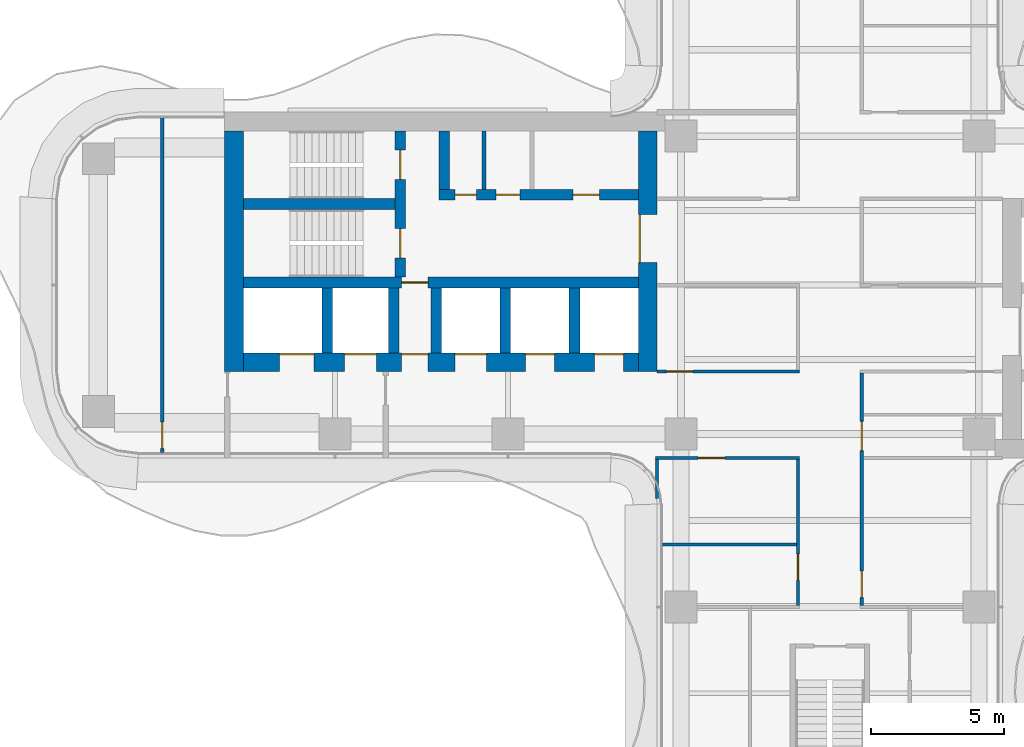
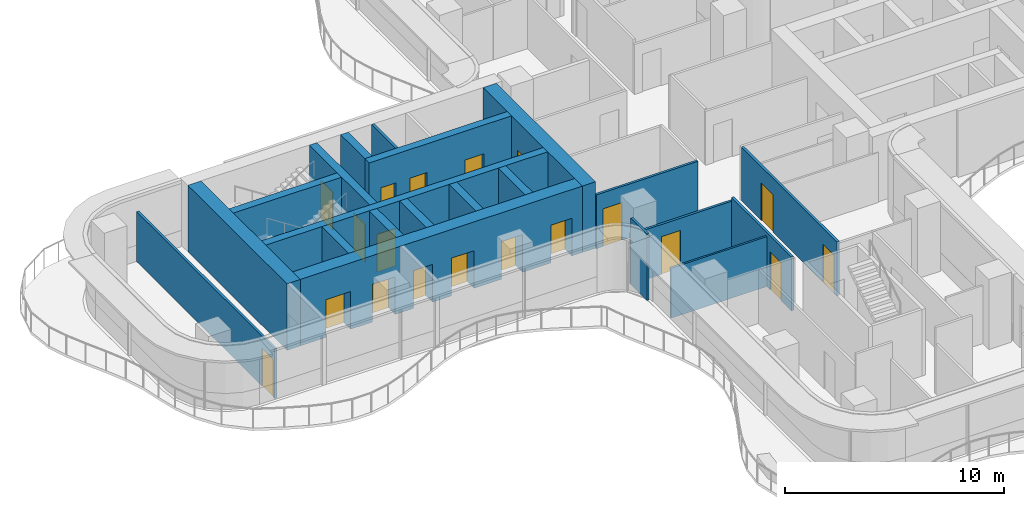
# One storey, part 13 of 18: 21 walls, 19 doors, 19 openings.
"""IFC4 building model written with IfcOpenShell, lengths in metres."""

from ifc_helpers import new_model, si_unit, direction, frame, frame_2d, origin, place, context, subcontext, project, spatial, rectangle, extrude, source, transform, mapped, material, layer, layer_set, type_object, element, fill, save


model = new_model("IFC4")

# Units and contexts
model_context = context("Model", 3, precision=1e-05, world=origin(), true_north=direction((0.0, 1.0)))
body_context = subcontext(model_context, "Body", "Model", "MODEL_VIEW")
ifc_project = project(units=[si_unit("LENGTHUNIT", "METRE"), si_unit("AREAUNIT", "SQUARE_METRE"), si_unit("VOLUMEUNIT", "CUBIC_METRE"), si_unit("PLANEANGLEUNIT", "RADIAN"), si_unit("MASSUNIT", "GRAM", prefix="KILO")], contexts=[model_context])

# Site, building, storey
site_placement = place(None, origin())
site = spatial("IfcSite", under=ifc_project, at=site_placement, CompositionType="ELEMENT")
building_placement = place(site_placement, origin())
building = spatial("IfcBuilding", under=site, at=building_placement, Name="Trellis Farm Tower", CompositionType="ELEMENT")
storey_placement = place(building_placement, frame((0.0, 0.0, 177.60009765625)))
storey = spatial("IfcBuildingStorey", under=building, at=storey_placement, Name="L38", CompositionType="ELEMENT", Elevation=177.60009765625)

# Wall, opening, door
ifc_material_1 = material(Name="Concrete C70/85", Category="concrete")
ifc_layer_1 = layer(ifc_material_1, 0.699951171875)
ifc_layer_set_1 = layer_set([ifc_layer_1], Name="CORE OUTER WALL 700 CONCRETE C70/85")
wall_type_1 = type_object("IfcWallType", Name="CORE OUTER WALL 700 CONCRETE C70/85", PredefinedType="SHEAR", material=ifc_layer_set_1)
shared_shape_1 = source(origin(), body_context, "Body", "SweptSolid", [
    extrude(rectangle(XDim=9.050048828125, YDim=0.699951171875, at=frame_2d((4.52490234375, 0.0))), origin(), (0.0, 0.0, 1.0), 3.699951171875),
])
wall_1_placement = place(storey_placement, frame((-6.85009765625, 5.800048828125, 0.0), z_axis=(0.0, 0.0, 1.0), x_axis=(0.0, -1.0, 0.0)))
wall_1 = element("IfcWall", 1, at=wall_1_placement, inside=storey, type_object=wall_type_1, Name="Core wall", PredefinedType="SHEAR", context=body_context, shape_type="MappedRepresentation", body=[
    mapped(shared_shape_1, transform((0.0, 0.0, 0.0))),
])
shared_shape_2 = source(origin(), body_context, "Body", "SweptSolid", [
    extrude(rectangle(XDim=1.800048828125, YDim=2.10009765625, at=frame_2d((0.89990234375, 1.050048828125))), frame((0.0, 0.360107421875, 0.0), z_axis=(0.0, -1.0, 0.0), x_axis=(1.0, 0.0, 0.0)), (0.0, 0.0, 1.0), 0.72021484375),
])
opening_1_placement = place(wall_1_placement, frame((3.14990234375, 0.0, 0.0)))
opening_1 = element("IfcOpeningElement", 2, at=opening_1_placement, cuts=wall_1, Name="Opening DC87", PredefinedType="OPENING", context=body_context, shape_type="MappedRepresentation", body=[
    mapped(shared_shape_2, transform((0.0, 0.0, 0.0))),
])
ifc_material_2 = material(Name="Steel", Category="steel")
door_type_1 = type_object("IfcDoorType", Name="CORE FIRE DOOR DOUBLE 1800 X 2100", OperationType="DOUBLE_DOOR_SINGLE_SWING", PredefinedType="DOOR", material=ifc_material_2)
shared_shape_3 = source(origin(), body_context, "Body", "SweptSolid", [
    extrude(rectangle(XDim=1.800048828125, YDim=2.10009765625, at=frame_2d((0.89990234375, 1.050048828125))), frame((0.0, -0.27490234375, 0.0), z_axis=(0.0, -1.0, 0.0), x_axis=(1.0, 0.0, 0.0)), (0.0, 0.0, 1.0), 0.050048828125),
])
door_1_placement = place(opening_1_placement, origin())
door_1 = element("IfcDoor", 3, at=door_1_placement, inside=storey, type_object=door_type_1, Name="Core door", OperationType="DOUBLE_DOOR_SINGLE_SWING", OverallHeight=2.10009765625, OverallWidth=1.800048828125, PredefinedType="DOOR", context=body_context, shape_type="MappedRepresentation", body=[
    mapped(shared_shape_3, transform((0.0, 0.0, 0.0))),
])
fill(opening_1, door_1)

# Walls
wall_2_placement = place(storey_placement, frame((-22.39990234375, 5.800048828125, 0.0), z_axis=(0.0, 0.0, 1.0), x_axis=(0.0, -1.0, 0.0)))
element("IfcWall", 4, at=wall_2_placement, inside=storey, type_object=wall_type_1, Name="Core wall", PredefinedType="SHEAR", context=body_context, shape_type="MappedRepresentation", body=[
    mapped(shared_shape_1, transform((0.0, 0.0, 0.0))),
])
ifc_layer_2 = layer(ifc_material_1, 0.39990234375)
ifc_layer_set_2 = layer_set([ifc_layer_2], Name="CORE INNER WALL 400 CONCRETE C70/85")
wall_type_2 = type_object("IfcWallType", Name="CORE INNER WALL 400 CONCRETE C70/85", PredefinedType="SHEAR", material=ifc_layer_set_2)
shared_shape_4 = source(origin(), body_context, "Body", "SweptSolid", [
    extrude(rectangle(XDim=2.449951171875, YDim=0.39990234375, at=frame_2d((1.22509765625, 0.0))), origin(), (0.0, 0.0, 1.0), 3.699951171875),
])
for number, where, z_axis, x_axis, name in (
    (5, (-9.60009765625, -0.10009765625, 0.0), (0.0, 0.0, 1.0), (0.0, -1.0, 0.0), "Core wall"),
    (6, (-12.199951171875, -0.10009765625, 0.0), (0.0, 0.0, 1.0), (0.0, -1.0, 0.0), "Core wall"),
    (7, (-14.800048828125, -0.10009765625, 0.0), (0.0, 0.0, 1.0), (0.0, -1.0, 0.0), "Core wall"),
    (8, (-16.39990234375, -0.10009765625, 0.0), (0.0, 0.0, 1.0), (0.0, -1.0, 0.0), "Core wall"),
    (9, (-18.89990234375, -0.10009765625, 0.0), (0.0, 0.0, 1.0), (0.0, -1.0, 0.0), "Core wall"),
):
    element("IfcWall", number, at=place(storey_placement, frame(where, z_axis=z_axis, x_axis=x_axis)), inside=storey, type_object=wall_type_2, Name=name, PredefinedType="SHEAR", context=body_context, shape_type="MappedRepresentation", body=[
        mapped(shared_shape_4, transform((0.0, 0.0, 0.0))),
    ])

# Wall, openings, doors
shared_shape_5 = source(origin(), body_context, "Body", "SweptSolid", [
    extrude(rectangle(XDim=14.85009765625, YDim=0.699951171875, at=frame_2d((7.425048828125, 0.0))), origin(), (0.0, 0.0, 1.0), 3.699951171875),
])
wall_3_placement = place(storey_placement, frame((-7.199951171875, -2.89990234375, 0.0), z_axis=(0.0, 0.0, 1.0), x_axis=(-1.0, 0.0, 0.0)))
wall_3 = element("IfcWall", 10, at=wall_3_placement, inside=storey, type_object=wall_type_1, Name="Core wall", PredefinedType="SHEAR", context=body_context, shape_type="MappedRepresentation", body=[
    mapped(shared_shape_5, transform((0.0, 0.0, 0.0))),
])
shared_shape_6 = source(origin(), body_context, "Body", "SweptSolid", [
    extrude(rectangle(XDim=1.10009765625, YDim=2.10009765625, at=frame_2d((0.550048828125, 1.050048828125))), frame((0.0, 0.360107421875, 0.0), z_axis=(0.0, -1.0, 0.0), x_axis=(1.0, 0.0, 0.0)), (0.0, 0.0, 1.0), 0.72021484375),
])
opening_2_placement = place(wall_3_placement, frame((0.550048828125, 0.0, 0.0)))
opening_2 = element("IfcOpeningElement", 11, at=opening_2_placement, cuts=wall_3, Name="Opening LD12", PredefinedType="OPENING", context=body_context, shape_type="MappedRepresentation", body=[
    mapped(shared_shape_6, transform((0.0, 0.0, 0.0))),
])
opening_3_placement = place(wall_3_placement, frame((3.14990234375, 0.0, 0.0)))
opening_3 = element("IfcOpeningElement", 12, at=opening_3_placement, cuts=wall_3, Name="Opening LD13", PredefinedType="OPENING", context=body_context, shape_type="MappedRepresentation", body=[
    mapped(shared_shape_6, transform((0.0, 0.0, 0.0))),
])
shared_shape_7 = source(origin(), body_context, "Body", "SweptSolid", [
    extrude(rectangle(XDim=1.199951171875, YDim=2.10009765625, at=frame_2d((0.60009765625, 1.050048828125))), frame((0.0, 0.360107421875, 0.0), z_axis=(0.0, -1.0, 0.0), x_axis=(1.0, 0.0, 0.0)), (0.0, 0.0, 1.0), 0.72021484375),
])
opening_4_placement = place(wall_3_placement, frame((5.699951171875, 0.0, 0.0)))
opening_4 = element("IfcOpeningElement", 13, at=opening_4_placement, cuts=wall_3, Name="Opening LD14", PredefinedType="OPENING", context=body_context, shape_type="MappedRepresentation", body=[
    mapped(shared_shape_7, transform((0.0, 0.0, 0.0))),
])
shared_shape_8 = source(origin(), body_context, "Body", "SweptSolid", [
    extrude(rectangle(XDim=1.300048828125, YDim=2.10009765625, at=frame_2d((0.64990234375, 1.050048828125))), frame((0.0, 0.360107421875, 0.0), z_axis=(0.0, -1.0, 0.0), x_axis=(1.0, 0.0, 0.0)), (0.0, 0.0, 1.0), 0.72021484375),
])
opening_5_placement = place(wall_3_placement, frame((12.199951171875, 0.0, 0.0)))
opening_5 = element("IfcOpeningElement", 14, at=opening_5_placement, cuts=wall_3, Name="Opening LD15", PredefinedType="OPENING", context=body_context, shape_type="MappedRepresentation", body=[
    mapped(shared_shape_8, transform((0.0, 0.0, 0.0))),
])
opening_6_placement = place(wall_3_placement, frame((9.85009765625, 0.0, 0.0)))
opening_6 = element("IfcOpeningElement", 15, at=opening_6_placement, cuts=wall_3, Name="Opening LD16", PredefinedType="OPENING", context=body_context, shape_type="MappedRepresentation", body=[
    mapped(shared_shape_7, transform((0.0, 0.0, 0.0))),
])
shared_shape_9 = source(origin(), body_context, "Body", "SweptSolid", [
    extrude(rectangle(XDim=1.0, YDim=2.10009765625, at=frame_2d((0.5, 1.050048828125))), frame((0.0, 0.360107421875, 0.0), z_axis=(0.0, -1.0, 0.0), x_axis=(1.0, 0.0, 0.0)), (0.0, 0.0, 1.0), 0.72021484375),
])
opening_7_placement = place(wall_3_placement, frame((7.89990234375, 0.0, 0.0)))
opening_7 = element("IfcOpeningElement", 16, at=opening_7_placement, cuts=wall_3, Name="Opening DC92", PredefinedType="OPENING", context=body_context, shape_type="MappedRepresentation", body=[
    mapped(shared_shape_9, transform((0.0, 0.0, 0.0))),
])
door_type_2 = type_object("IfcDoorType", Name="CORE FIRE DOOR 1000 X 2100", OperationType="NOTDEFINED", PredefinedType="DOOR", material=ifc_material_2)
shared_shape_10 = source(origin(), body_context, "Body", "SweptSolid", [
    extrude(rectangle(XDim=1.0, YDim=2.10009765625, at=frame_2d((0.5, 1.050048828125))), frame((0.0, -0.27490234375, 0.0), z_axis=(0.0, -1.0, 0.0), x_axis=(1.0, 0.0, 0.0)), (0.0, 0.0, 1.0), 0.050048828125),
])
door_2_placement = place(opening_7_placement, origin())
door_2 = element("IfcDoor", 17, at=door_2_placement, inside=storey, type_object=door_type_2, Name="Core door", OperationType="SINGLE_SWING_LEFT", OverallHeight=2.10009765625, OverallWidth=1.0, PredefinedType="DOOR", context=body_context, shape_type="MappedRepresentation", body=[
    mapped(shared_shape_10, transform((0.0, 0.0, 0.0))),
])
fill(opening_7, door_2)
ifc_material_3 = material(Name="Stainless steel", Category="steel")
door_type_3 = type_object("IfcDoorType", Name="LIFT LANDING DOOR 1300 X 2100", OperationType="DOUBLE_DOOR_SLIDING", PredefinedType="DOOR", material=ifc_material_3)
shared_shape_11 = source(origin(), body_context, "Body", "SweptSolid", [
    extrude(rectangle(XDim=1.300048828125, YDim=2.10009765625, at=frame_2d((0.64990234375, 1.050048828125))), frame((0.0, -0.27490234375, 0.0), z_axis=(0.0, -1.0, 0.0), x_axis=(1.0, 0.0, 0.0)), (0.0, 0.0, 1.0), 0.050048828125),
])
door_3_placement = place(opening_5_placement, origin())
door_3 = element("IfcDoor", 18, at=door_3_placement, inside=storey, type_object=door_type_3, Name="Lift landing door", OperationType="DOUBLE_DOOR_SLIDING", OverallHeight=2.10009765625, OverallWidth=1.300048828125, PredefinedType="DOOR", context=body_context, shape_type="MappedRepresentation", body=[
    mapped(shared_shape_11, transform((0.0, 0.0, 0.0))),
])
fill(opening_5, door_3)
door_type_4 = type_object("IfcDoorType", Name="LIFT LANDING DOOR 1200 X 2100", OperationType="DOUBLE_DOOR_SLIDING", PredefinedType="DOOR", material=ifc_material_3)
shared_shape_12 = source(origin(), body_context, "Body", "SweptSolid", [
    extrude(rectangle(XDim=1.199951171875, YDim=2.10009765625, at=frame_2d((0.60009765625, 1.050048828125))), frame((0.0, -0.27490234375, 0.0), z_axis=(0.0, -1.0, 0.0), x_axis=(1.0, 0.0, 0.0)), (0.0, 0.0, 1.0), 0.050048828125),
])
door_4_placement = place(opening_4_placement, origin())
door_4 = element("IfcDoor", 19, at=door_4_placement, inside=storey, type_object=door_type_4, Name="Lift landing door", OperationType="DOUBLE_DOOR_SLIDING", OverallHeight=2.10009765625, OverallWidth=1.199951171875, PredefinedType="DOOR", context=body_context, shape_type="MappedRepresentation", body=[
    mapped(shared_shape_12, transform((0.0, 0.0, 0.0))),
])
fill(opening_4, door_4)
door_5_placement = place(opening_6_placement, origin())
door_5 = element("IfcDoor", 20, at=door_5_placement, inside=storey, type_object=door_type_4, Name="Lift landing door", OperationType="DOUBLE_DOOR_SLIDING", OverallHeight=2.10009765625, OverallWidth=1.199951171875, PredefinedType="DOOR", context=body_context, shape_type="MappedRepresentation", body=[
    mapped(shared_shape_12, transform((0.0, 0.0, 0.0))),
])
fill(opening_6, door_5)
door_type_5 = type_object("IfcDoorType", Name="LIFT LANDING DOOR 1100 X 2100", OperationType="DOUBLE_DOOR_SLIDING", PredefinedType="DOOR", material=ifc_material_3)
shared_shape_13 = source(origin(), body_context, "Body", "SweptSolid", [
    extrude(rectangle(XDim=1.10009765625, YDim=2.10009765625, at=frame_2d((0.550048828125, 1.050048828125))), frame((0.0, -0.27490234375, 0.0), z_axis=(0.0, -1.0, 0.0), x_axis=(1.0, 0.0, 0.0)), (0.0, 0.0, 1.0), 0.050048828125),
])
door_6_placement = place(opening_2_placement, origin())
door_6 = element("IfcDoor", 21, at=door_6_placement, inside=storey, type_object=door_type_5, Name="Lift landing door", OperationType="DOUBLE_DOOR_SLIDING", OverallHeight=2.10009765625, OverallWidth=1.10009765625, PredefinedType="DOOR", context=body_context, shape_type="MappedRepresentation", body=[
    mapped(shared_shape_13, transform((0.0, 0.0, 0.0))),
])
fill(opening_2, door_6)
door_7_placement = place(opening_3_placement, origin())
door_7 = element("IfcDoor", 22, at=door_7_placement, inside=storey, type_object=door_type_5, Name="Lift landing door", OperationType="DOUBLE_DOOR_SLIDING", OverallHeight=2.10009765625, OverallWidth=1.10009765625, PredefinedType="DOOR", context=body_context, shape_type="MappedRepresentation", body=[
    mapped(shared_shape_13, transform((0.0, 0.0, 0.0))),
])
fill(opening_3, door_7)

shared_shape_14 = source(origin(), body_context, "Body", "SweptSolid", [
    extrude(rectangle(XDim=7.5, YDim=0.39990234375, at=frame_2d((3.75, 0.0))), origin(), (0.0, 0.0, 1.0), 3.699951171875),
])
wall_4_placement = place(storey_placement, frame((-7.199951171875, 3.39990234375, 0.0), z_axis=(0.0, 0.0, 1.0), x_axis=(-1.0, 0.0, 0.0)))
wall_4 = element("IfcWall", 23, at=wall_4_placement, inside=storey, type_object=wall_type_2, Name="Core wall", PredefinedType="SHEAR", context=body_context, shape_type="MappedRepresentation", body=[
    mapped(shared_shape_14, transform((0.0, 0.0, 0.0))),
])
shared_shape_15 = source(origin(), body_context, "Body", "SweptSolid", [
    extrude(rectangle(XDim=1.0, YDim=2.10009765625, at=frame_2d((0.5, 1.050048828125))), frame((0.0, 0.2099609375, 0.0), z_axis=(0.0, -1.0, 0.0), x_axis=(1.0, 0.0, 0.0)), (0.0, 0.0, 1.0), 0.419921875),
])
opening_8_placement = place(wall_4_placement, frame((1.46240234375, 0.0, 0.0)))
opening_8 = element("IfcOpeningElement", 24, at=opening_8_placement, cuts=wall_4, Name="Opening DC141", PredefinedType="OPENING", context=body_context, shape_type="MappedRepresentation", body=[
    mapped(shared_shape_15, transform((0.0, 0.0, 0.0))),
])
shared_shape_16 = source(origin(), body_context, "Body", "SweptSolid", [
    extrude(rectangle(XDim=0.89990234375, YDim=2.10009765625, at=frame_2d((0.449951171875, 1.050048828125))), frame((0.0, 0.2099609375, 0.0), z_axis=(0.0, -1.0, 0.0), x_axis=(1.0, 0.0, 0.0)), (0.0, 0.0, 1.0), 0.419921875),
])
opening_9_placement = place(wall_4_placement, frame((4.449951171875, 0.0, 0.0)))
opening_9 = element("IfcOpeningElement", 25, at=opening_9_placement, cuts=wall_4, Name="Opening DC146", PredefinedType="OPENING", context=body_context, shape_type="MappedRepresentation", body=[
    mapped(shared_shape_16, transform((0.0, 0.0, 0.0))),
])
shared_shape_17 = source(origin(), body_context, "Body", "SweptSolid", [
    extrude(rectangle(XDim=0.800048828125, YDim=2.10009765625, at=frame_2d((0.39990234375, 1.050048828125))), frame((0.0, 0.2099609375, 0.0), z_axis=(0.0, -1.0, 0.0), x_axis=(1.0, 0.0, 0.0)), (0.0, 0.0, 1.0), 0.419921875),
])
opening_10_placement = place(wall_4_placement, frame((6.08740234375, 0.0, 0.0)))
opening_10 = element("IfcOpeningElement", 26, at=opening_10_placement, cuts=wall_4, Name="Opening DC149", PredefinedType="OPENING", context=body_context, shape_type="MappedRepresentation", body=[
    mapped(shared_shape_17, transform((0.0, 0.0, 0.0))),
])
shared_shape_18 = source(origin(), body_context, "Body", "SweptSolid", [
    extrude(rectangle(XDim=1.0, YDim=2.10009765625, at=frame_2d((0.5, 1.050048828125))), frame((0.0, 0.02490234375, 0.0), z_axis=(0.0, -1.0, 0.0), x_axis=(1.0, 0.0, 0.0)), (0.0, 0.0, 1.0), 0.050048828125),
])
door_8_placement = place(opening_8_placement, origin())
door_8 = element("IfcDoor", 27, at=door_8_placement, inside=storey, type_object=door_type_2, Name="Core door", OperationType="SINGLE_SWING_LEFT", OverallHeight=2.10009765625, OverallWidth=1.0, PredefinedType="DOOR", context=body_context, shape_type="MappedRepresentation", body=[
    mapped(shared_shape_18, transform((0.0, 0.0, 0.0))),
])
fill(opening_8, door_8)
door_type_6 = type_object("IfcDoorType", Name="CORE FIRE DOOR 900 X 2100", OperationType="NOTDEFINED", PredefinedType="DOOR", material=ifc_material_2)
shared_shape_19 = source(origin(), body_context, "Body", "SweptSolid", [
    extrude(rectangle(XDim=0.89990234375, YDim=2.10009765625, at=frame_2d((0.449951171875, 1.050048828125))), frame((0.0, 0.02490234375, 0.0), z_axis=(0.0, -1.0, 0.0), x_axis=(1.0, 0.0, 0.0)), (0.0, 0.0, 1.0), 0.050048828125),
])
door_9_placement = place(opening_9_placement, origin())
door_9 = element("IfcDoor", 28, at=door_9_placement, inside=storey, type_object=door_type_6, Name="Core door", OperationType="SINGLE_SWING_RIGHT", OverallHeight=2.10009765625, OverallWidth=0.89990234375, PredefinedType="DOOR", context=body_context, shape_type="MappedRepresentation", body=[
    mapped(shared_shape_19, transform((0.0, 0.0, 0.0))),
])
fill(opening_9, door_9)
door_type_7 = type_object("IfcDoorType", Name="CORE FIRE DOOR 800 X 2100", OperationType="NOTDEFINED", PredefinedType="DOOR", material=ifc_material_2)
shared_shape_20 = source(origin(), body_context, "Body", "SweptSolid", [
    extrude(rectangle(XDim=0.800048828125, YDim=2.10009765625, at=frame_2d((0.39990234375, 1.050048828125))), frame((0.0, 0.02490234375, 0.0), z_axis=(0.0, -1.0, 0.0), x_axis=(1.0, 0.0, 0.0)), (0.0, 0.0, 1.0), 0.050048828125),
])
door_10_placement = place(opening_10_placement, origin())
door_10 = element("IfcDoor", 29, at=door_10_placement, inside=storey, type_object=door_type_7, Name="Core door", OperationType="SINGLE_SWING_LEFT", OverallHeight=2.10009765625, OverallWidth=0.800048828125, PredefinedType="DOOR", context=body_context, shape_type="MappedRepresentation", body=[
    mapped(shared_shape_20, transform((0.0, 0.0, 0.0))),
])
fill(opening_10, door_10)

# Wall, opening, door
shared_shape_21 = source(origin(), body_context, "Body", "SweptSolid", [
    extrude(rectangle(XDim=14.85009765625, YDim=0.39990234375, at=frame_2d((7.425048828125, 0.0))), origin(), (0.0, 0.0, 1.0), 3.699951171875),
])
wall_5_placement = place(storey_placement, frame((-7.199951171875, 0.10009765625, 0.0), z_axis=(0.0, 0.0, 1.0), x_axis=(-1.0, 0.0, 0.0)))
wall_5 = element("IfcWall", 30, at=wall_5_placement, inside=storey, type_object=wall_type_2, Name="Core wall", PredefinedType="SHEAR", context=body_context, shape_type="MappedRepresentation", body=[
    mapped(shared_shape_21, transform((0.0, 0.0, 0.0))),
])
opening_11_placement = place(wall_5_placement, frame((7.89990234375, 0.0, 0.0)))
opening_11 = element("IfcOpeningElement", 31, at=opening_11_placement, cuts=wall_5, Name="Opening DC91", PredefinedType="OPENING", context=body_context, shape_type="MappedRepresentation", body=[
    mapped(shared_shape_15, transform((0.0, 0.0, 0.0))),
])
door_11_placement = place(opening_11_placement, origin())
door_11 = element("IfcDoor", 32, at=door_11_placement, inside=storey, type_object=door_type_2, Name="Core door", OperationType="SINGLE_SWING_RIGHT", OverallHeight=2.10009765625, OverallWidth=1.0, PredefinedType="DOOR", context=body_context, shape_type="MappedRepresentation", body=[
    mapped(shared_shape_18, transform((0.0, 0.0, 0.0))),
])
fill(opening_11, door_11)

# Wall, openings, doors
shared_shape_22 = source(origin(), body_context, "Body", "SweptSolid", [
    extrude(rectangle(XDim=5.5, YDim=0.39990234375, at=frame_2d((2.75, 0.0))), origin(), (0.0, 0.0, 1.0), 3.699951171875),
])
wall_6_placement = place(storey_placement, frame((-16.14990234375, 5.800048828125, 0.0), z_axis=(0.0, 0.0, 1.0), x_axis=(0.0, -1.0, 0.0)))
wall_6 = element("IfcWall", 33, at=wall_6_placement, inside=storey, type_object=wall_type_2, Name="Core wall", PredefinedType="SHEAR", context=body_context, shape_type="MappedRepresentation", body=[
    mapped(shared_shape_22, transform((0.0, 0.0, 0.0))),
])
shared_shape_23 = source(origin(), body_context, "Body", "SweptSolid", [
    extrude(rectangle(XDim=1.10009765625, YDim=2.10009765625, at=frame_2d((0.550048828125, 1.050048828125))), frame((0.0, 0.2099609375, 0.0), z_axis=(0.0, -1.0, 0.0), x_axis=(1.0, 0.0, 0.0)), (0.0, 0.0, 1.0), 0.419921875),
])
opening_12_placement = place(wall_6_placement, frame((0.72509765625, 0.0, 0.0)))
opening_12 = element("IfcOpeningElement", 34, at=opening_12_placement, cuts=wall_6, Name="Opening DC88", PredefinedType="OPENING", context=body_context, shape_type="MappedRepresentation", body=[
    mapped(shared_shape_23, transform((0.0, 0.0, 0.0))),
])
opening_13_placement = place(wall_6_placement, frame((3.675048828125, 0.0, 0.0)))
opening_13 = element("IfcOpeningElement", 35, at=opening_13_placement, cuts=wall_6, Name="Opening DC89", PredefinedType="OPENING", context=body_context, shape_type="MappedRepresentation", body=[
    mapped(shared_shape_23, transform((0.0, 0.0, 0.0))),
])
door_type_8 = type_object("IfcDoorType", Name="CORE FIRE DOOR 1100 X 2100", OperationType="NOTDEFINED", PredefinedType="DOOR", material=ifc_material_2)
shared_shape_24 = source(origin(), body_context, "Body", "SweptSolid", [
    extrude(rectangle(XDim=1.10009765625, YDim=2.10009765625, at=frame_2d((0.550048828125, 1.050048828125))), frame((0.0, 0.02490234375, 0.0), z_axis=(0.0, -1.0, 0.0), x_axis=(1.0, 0.0, 0.0)), (0.0, 0.0, 1.0), 0.050048828125),
])
door_12_placement = place(opening_12_placement, origin())
door_12 = element("IfcDoor", 36, at=door_12_placement, inside=storey, type_object=door_type_8, Name="Core door", OperationType="SINGLE_SWING_RIGHT", OverallHeight=2.10009765625, OverallWidth=1.10009765625, PredefinedType="DOOR", context=body_context, shape_type="MappedRepresentation", body=[
    mapped(shared_shape_24, transform((0.0, 0.0, 0.0))),
])
fill(opening_12, door_12)
door_13_placement = place(opening_13_placement, origin())
door_13 = element("IfcDoor", 37, at=door_13_placement, inside=storey, type_object=door_type_8, Name="Core door", OperationType="SINGLE_SWING_LEFT", OverallHeight=2.10009765625, OverallWidth=1.10009765625, PredefinedType="DOOR", context=body_context, shape_type="MappedRepresentation", body=[
    mapped(shared_shape_24, transform((0.0, 0.0, 0.0))),
])
fill(opening_13, door_13)

# Walls
shared_shape_25 = source(origin(), body_context, "Body", "SweptSolid", [
    extrude(rectangle(XDim=5.699951171875, YDim=0.39990234375, at=frame_2d((2.85009765625, 0.0))), origin(), (0.0, 0.0, 1.0), 3.699951171875),
])
wall_7_placement = place(storey_placement, frame((-16.35009765625, 3.050048828125, 0.0), z_axis=(0.0, 0.0, 1.0), x_axis=(-1.0, 0.0, 0.0)))
element("IfcWall", 38, at=wall_7_placement, inside=storey, type_object=wall_type_2, Name="Core wall", PredefinedType="SHEAR", context=body_context, shape_type="MappedRepresentation", body=[
    mapped(shared_shape_25, transform((0.0, 0.0, 0.0))),
])
shared_shape_26 = source(origin(), body_context, "Body", "SweptSolid", [
    extrude(rectangle(XDim=2.199951171875, YDim=0.39990234375, at=frame_2d((1.10009765625, 0.0))), origin(), (0.0, 0.0, 1.0), 3.699951171875),
])
wall_8_placement = place(storey_placement, frame((-14.5, 5.800048828125, 0.0), z_axis=(0.0, 0.0, 1.0), x_axis=(0.0, -1.0, 0.0)))
element("IfcWall", 39, at=wall_8_placement, inside=storey, type_object=wall_type_2, Name="Core wall", PredefinedType="SHEAR", context=body_context, shape_type="MappedRepresentation", body=[
    mapped(shared_shape_26, transform((0.0, 0.0, 0.0))),
])
ifc_material_4 = material(Name="Masonry blockwork", Category="masonry")
ifc_layer_3 = layer(ifc_material_4, 0.14990234375)
ifc_layer_set_3 = layer_set([ifc_layer_3], Name="CORE PARTITION 150 BLOCKWORK")
wall_type_3 = type_object("IfcWallType", Name="CORE PARTITION 150 BLOCKWORK", PredefinedType="PARTITIONING", material=ifc_layer_set_3)
shared_shape_27 = source(origin(), body_context, "Body", "SweptSolid", [
    extrude(rectangle(XDim=2.199951171875, YDim=0.14990234375, at=frame_2d((1.10009765625, 0.0))), origin(), (0.0, 0.0, 1.0), 3.699951171875),
])
wall_9_placement = place(storey_placement, frame((-13.0, 5.800048828125, 0.0), z_axis=(0.0, 0.0, 1.0), x_axis=(0.0, -1.0, 0.0)))
element("IfcWall", 40, at=wall_9_placement, inside=storey, type_object=wall_type_3, Name="Core room partition", PredefinedType="PARTITIONING", context=body_context, shape_type="MappedRepresentation", body=[
    mapped(shared_shape_27, transform((0.0, 0.0, 0.0))),
])

# Wall, opening, door
ifc_material_5 = material(Name="Plasterboard on steel studs, mineral wool", Category="steel")
ifc_layer_4 = layer(ifc_material_5, 0.125)
ifc_layer_set_4 = layer_set([ifc_layer_4], Name="PARTITION 125 STUD EI 60")
wall_type_4 = type_object("IfcWallType", Name="PARTITION 125 STUD EI 60", PredefinedType="PARTITIONING", material=ifc_layer_set_4)
shared_shape_28 = source(origin(), body_context, "Body", "SweptSolid", [
    extrude(rectangle(XDim=5.47509765625, YDim=0.125, at=frame_2d((2.737548828125, 0.0))), origin(), (0.0, 0.0, 1.0), 2.99658203125),
])
wall_10_placement = place(storey_placement, frame((-1.199951171875, -6.5625, 0.0), z_axis=(0.0, 0.0, 1.0), x_axis=(0.0, -1.0, 0.0)))
wall_10 = element("IfcWall", 41, at=wall_10_placement, inside=storey, type_object=wall_type_4, Name="Partition PW1", PredefinedType="PARTITIONING", context=body_context, shape_type="MappedRepresentation", body=[
    mapped(shared_shape_28, transform((0.0, 0.0, 0.0))),
])
shared_shape_29 = source(origin(), body_context, "Body", "SweptSolid", [
    extrude(rectangle(XDim=1.0, YDim=2.10009765625, at=frame_2d((0.5, 1.050048828125))), frame((0.0, 0.072509765625, 0.0), z_axis=(0.0, -1.0, 0.0), x_axis=(1.0, 0.0, 0.0)), (0.0, 0.0, 1.0), 0.14501953125),
])
opening_14_placement = place(wall_10_placement, frame((3.53759765625, 0.0, 0.0)))
opening_14 = element("IfcOpeningElement", 42, at=opening_14_placement, cuts=wall_10, Name="Opening D105", PredefinedType="OPENING", context=body_context, shape_type="MappedRepresentation", body=[
    mapped(shared_shape_29, transform((0.0, 0.0, 0.0))),
])
ifc_material_6 = material(Name="Fire-rated timber door leaf in a hollow metal frame", Category="wood")
door_type_9 = type_object("IfcDoorType", Name="DOOR 1000x2100 FD30S", OperationType="NOTDEFINED", PredefinedType="DOOR", material=ifc_material_6)
door_14_placement = place(opening_14_placement, origin())
door_14 = element("IfcDoor", 43, at=door_14_placement, inside=storey, type_object=door_type_9, Name="Door D105", OperationType="SINGLE_SWING_LEFT", OverallHeight=2.10009765625, OverallWidth=1.0, PredefinedType="DOOR", context=body_context, shape_type="MappedRepresentation", body=[
    mapped(shared_shape_18, transform((0.0, 0.0, 0.0))),
])
fill(opening_14, door_14)

# Wall
shared_shape_30 = source(origin(), body_context, "Body", "SweptSolid", [
    extrude(rectangle(XDim=1.468994140625, YDim=0.125, at=frame_2d((0.734375, 0.0))), origin(), (0.0, 0.0, 1.0), 3.699951171875),
])
wall_11_placement = place(storey_placement, frame((-6.5, -6.5625, 0.0), z_axis=(0.0, 0.0, 1.0), x_axis=(0.0, -1.0, 0.0)))
element("IfcWall", 44, at=wall_11_placement, inside=storey, type_object=wall_type_4, Name="Partition PW1", PredefinedType="PARTITIONING", context=body_context, shape_type="MappedRepresentation", body=[
    mapped(shared_shape_30, transform((0.0, 0.0, 0.0))),
])

# Wall, opening, door
shared_shape_31 = source(origin(), body_context, "Body", "SweptSolid", [
    extrude(rectangle(XDim=5.362548828125, YDim=0.125, at=frame_2d((2.68115234375, 0.0))), origin(), (0.0, 0.0, 1.0), 2.99658203125),
])
wall_12_placement = place(storey_placement, frame((-1.137451171875, -3.25, 0.0), z_axis=(0.0, 0.0, 1.0), x_axis=(-1.0, 0.0, 0.0)))
wall_12 = element("IfcWall", 45, at=wall_12_placement, inside=storey, type_object=wall_type_4, Name="Partition PW1", PredefinedType="PARTITIONING", context=body_context, shape_type="MappedRepresentation", body=[
    mapped(shared_shape_31, transform((0.0, 0.0, 0.0))),
])
opening_15_placement = place(wall_12_placement, frame((4.012451171875, 0.0, 0.0)))
opening_15 = element("IfcOpeningElement", 46, at=opening_15_placement, cuts=wall_12, Name="Opening D109", PredefinedType="OPENING", context=body_context, shape_type="MappedRepresentation", body=[
    mapped(shared_shape_29, transform((0.0, 0.0, 0.0))),
])
door_15_placement = place(opening_15_placement, origin())
door_15 = element("IfcDoor", 47, at=door_15_placement, inside=storey, type_object=door_type_9, Name="Door D109", OperationType="SINGLE_SWING_RIGHT", OverallHeight=2.10009765625, OverallWidth=1.0, PredefinedType="DOOR", context=body_context, shape_type="MappedRepresentation", body=[
    mapped(shared_shape_18, transform((0.0, 0.0, 0.0))),
])
fill(opening_15, door_15)

# Wall, openings, doors
shared_shape_32 = source(origin(), body_context, "Body", "SweptSolid", [
    extrude(rectangle(XDim=8.72509765625, YDim=0.125, at=frame_2d((4.362548828125, 0.0))), origin(), (0.0, 0.0, 1.0), 2.99658203125),
])
wall_13_placement = place(storey_placement, frame((1.199951171875, -3.3125, 0.0), z_axis=(0.0, 0.0, 1.0), x_axis=(0.0, -1.0, 0.0)))
wall_13 = element("IfcWall", 48, at=wall_13_placement, inside=storey, type_object=wall_type_4, Name="Partition PW1", PredefinedType="PARTITIONING", context=body_context, shape_type="MappedRepresentation", body=[
    mapped(shared_shape_32, transform((0.0, 0.0, 0.0))),
])
opening_16_placement = place(wall_13_placement, frame((7.4375, 0.0, 0.0)))
opening_16 = element("IfcOpeningElement", 49, at=opening_16_placement, cuts=wall_13, Name="Opening D104", PredefinedType="OPENING", context=body_context, shape_type="MappedRepresentation", body=[
    mapped(shared_shape_29, transform((0.0, 0.0, 0.0))),
])
shared_shape_33 = source(origin(), body_context, "Body", "SweptSolid", [
    extrude(rectangle(XDim=1.10009765625, YDim=2.10009765625, at=frame_2d((0.550048828125, 1.050048828125))), frame((0.0, 0.072509765625, 0.0), z_axis=(0.0, -1.0, 0.0), x_axis=(1.0, 0.0, 0.0)), (0.0, 0.0, 1.0), 0.14501953125),
])
opening_17_placement = place(wall_13_placement, frame((1.8125, 0.0, 0.0)))
opening_17 = element("IfcOpeningElement", 50, at=opening_17_placement, cuts=wall_13, Name="Opening D501", PredefinedType="OPENING", context=body_context, shape_type="MappedRepresentation", body=[
    mapped(shared_shape_33, transform((0.0, 0.0, 0.0))),
])
door_type_10 = type_object("IfcDoorType", Name="DOOR 1100x2100 FD30S", OperationType="NOTDEFINED", PredefinedType="DOOR", material=ifc_material_6)
door_16_placement = place(opening_17_placement, origin())
door_16 = element("IfcDoor", 51, at=door_16_placement, inside=storey, type_object=door_type_10, Name="Door D501", OperationType="SINGLE_SWING_LEFT", OverallHeight=2.10009765625, OverallWidth=1.10009765625, PredefinedType="DOOR", context=body_context, shape_type="MappedRepresentation", body=[
    mapped(shared_shape_24, transform((0.0, 0.0, 0.0))),
])
fill(opening_17, door_16)
door_17_placement = place(opening_16_placement, origin())
door_17 = element("IfcDoor", 52, at=door_17_placement, inside=storey, type_object=door_type_9, Name="Door D104", OperationType="SINGLE_SWING_RIGHT", OverallHeight=2.10009765625, OverallWidth=1.0, PredefinedType="DOOR", context=body_context, shape_type="MappedRepresentation", body=[
    mapped(shared_shape_18, transform((0.0, 0.0, 0.0))),
])
fill(opening_16, door_17)

# Wall, opening, door
shared_shape_34 = source(origin(), body_context, "Body", "SweptSolid", [
    extrude(rectangle(XDim=12.60009765625, YDim=0.125, at=frame_2d((6.300048828125, 0.0))), origin(), (0.0, 0.0, 1.0), 2.77978515625),
])
wall_14_placement = place(storey_placement, frame((-25.10009765625, -6.300048828125, 0.0), z_axis=(0.0, 0.0, 1.0), x_axis=(0.0, 1.0, 0.0)))
wall_14 = element("IfcWall", 53, at=wall_14_placement, inside=storey, type_object=wall_type_4, Name="Partition PW1", PredefinedType="PARTITIONING", context=body_context, shape_type="MappedRepresentation", body=[
    mapped(shared_shape_34, transform((0.0, 0.0, 0.0))),
])
opening_18_placement = place(wall_14_placement, frame((0.14990234375, 0.0, 0.0)))
opening_18 = element("IfcOpeningElement", 54, at=opening_18_placement, cuts=wall_14, Name="Opening D107", PredefinedType="OPENING", context=body_context, shape_type="MappedRepresentation", body=[
    mapped(shared_shape_29, transform((0.0, 0.0, 0.0))),
])
door_18_placement = place(opening_18_placement, origin())
door_18 = element("IfcDoor", 55, at=door_18_placement, inside=storey, type_object=door_type_9, Name="Door D107", OperationType="SINGLE_SWING_LEFT", OverallHeight=2.10009765625, OverallWidth=1.0, PredefinedType="DOOR", context=body_context, shape_type="MappedRepresentation", body=[
    mapped(shared_shape_18, transform((0.0, 0.0, 0.0))),
])
fill(opening_18, door_18)

shared_shape_35 = source(origin(), body_context, "Body", "SweptSolid", [
    extrude(rectangle(XDim=5.425048828125, YDim=0.125, at=frame_2d((2.71240234375, 0.0))), origin(), (0.0, 0.0, 1.0), 2.77978515625),
])
wall_15_placement = place(storey_placement, frame((-1.137451171875, -6.5, 0.0), z_axis=(0.0, 0.0, 1.0), x_axis=(-1.0, 0.0, 0.0)))
wall_15 = element("IfcWall", 56, at=wall_15_placement, inside=storey, type_object=wall_type_4, Name="Partition PW1", PredefinedType="PARTITIONING", context=body_context, shape_type="MappedRepresentation", body=[
    mapped(shared_shape_35, transform((0.0, 0.0, 0.0))),
])
opening_19_placement = place(wall_15_placement, frame((2.8125, 0.0, 0.0)))
opening_19 = element("IfcOpeningElement", 57, at=opening_19_placement, cuts=wall_15, Name="Opening D106", PredefinedType="OPENING", context=body_context, shape_type="MappedRepresentation", body=[
    mapped(shared_shape_29, transform((0.0, 0.0, 0.0))),
])
door_19_placement = place(opening_19_placement, origin())
door_19 = element("IfcDoor", 58, at=door_19_placement, inside=storey, type_object=door_type_9, Name="Door D106", OperationType="SINGLE_SWING_RIGHT", OverallHeight=2.10009765625, OverallWidth=1.0, PredefinedType="DOOR", context=body_context, shape_type="MappedRepresentation", body=[
    mapped(shared_shape_18, transform((0.0, 0.0, 0.0))),
])
fill(opening_19, door_19)

# Wall
ifc_material_7 = material(Name="Plasterboard on steel studs", Category="steel")
ifc_layer_5 = layer(ifc_material_7, 0.10009765625)
ifc_layer_set_5 = layer_set([ifc_layer_5], Name="PARTITION 100 STUD EI 30")
wall_type_5 = type_object("IfcWallType", Name="PARTITION 100 STUD EI 30", PredefinedType="PARTITIONING", material=ifc_layer_set_5)
shared_shape_36 = source(origin(), body_context, "Body", "SweptSolid", [
    extrude(rectangle(XDim=5.03759765625, YDim=0.10009765625, at=frame_2d((2.518798828125, 0.0))), origin(), (0.0, 0.0, 1.0), 2.77978515625),
])
wall_16_placement = place(storey_placement, frame((-6.300048828125, -9.75, 0.0), z_axis=(0.0, 0.0, 1.0), x_axis=(1.0, 0.0, 0.0)))
element("IfcWall", 59, at=wall_16_placement, inside=storey, type_object=wall_type_5, Name="Partition PW2", PredefinedType="PARTITIONING", context=body_context, shape_type="MappedRepresentation", body=[
    mapped(shared_shape_36, transform((0.0, 0.0, 0.0))),
])

save(model, "model.ifc")
